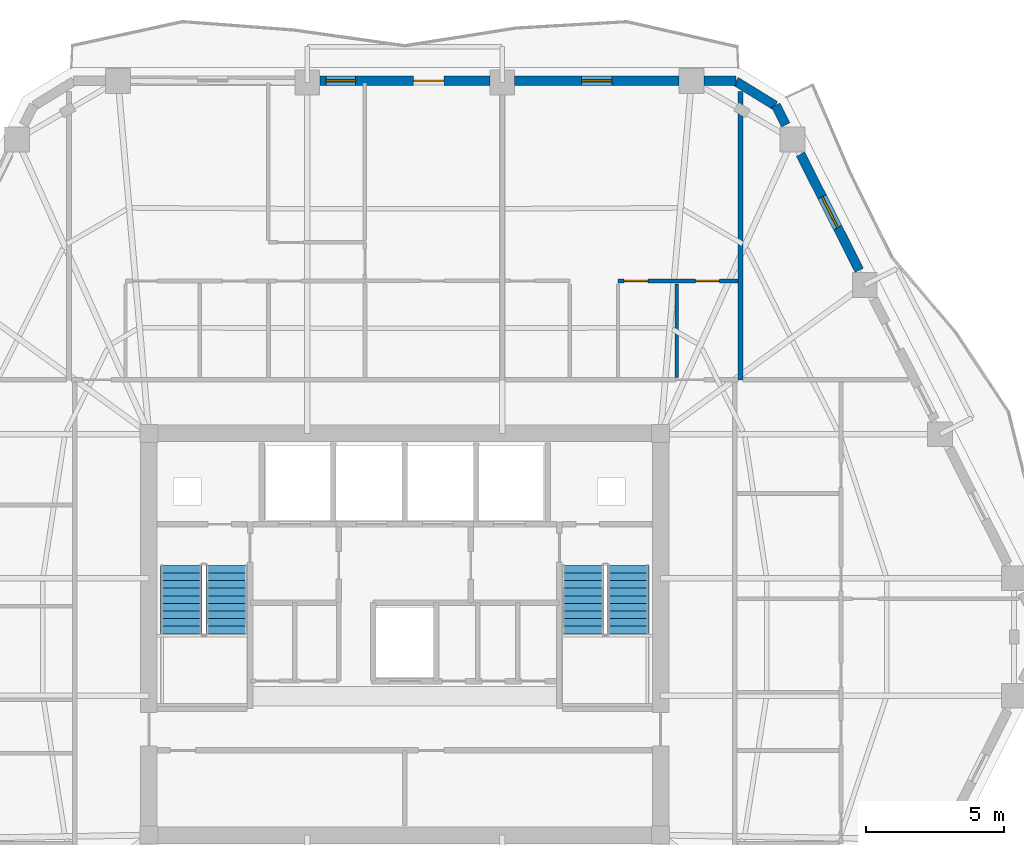
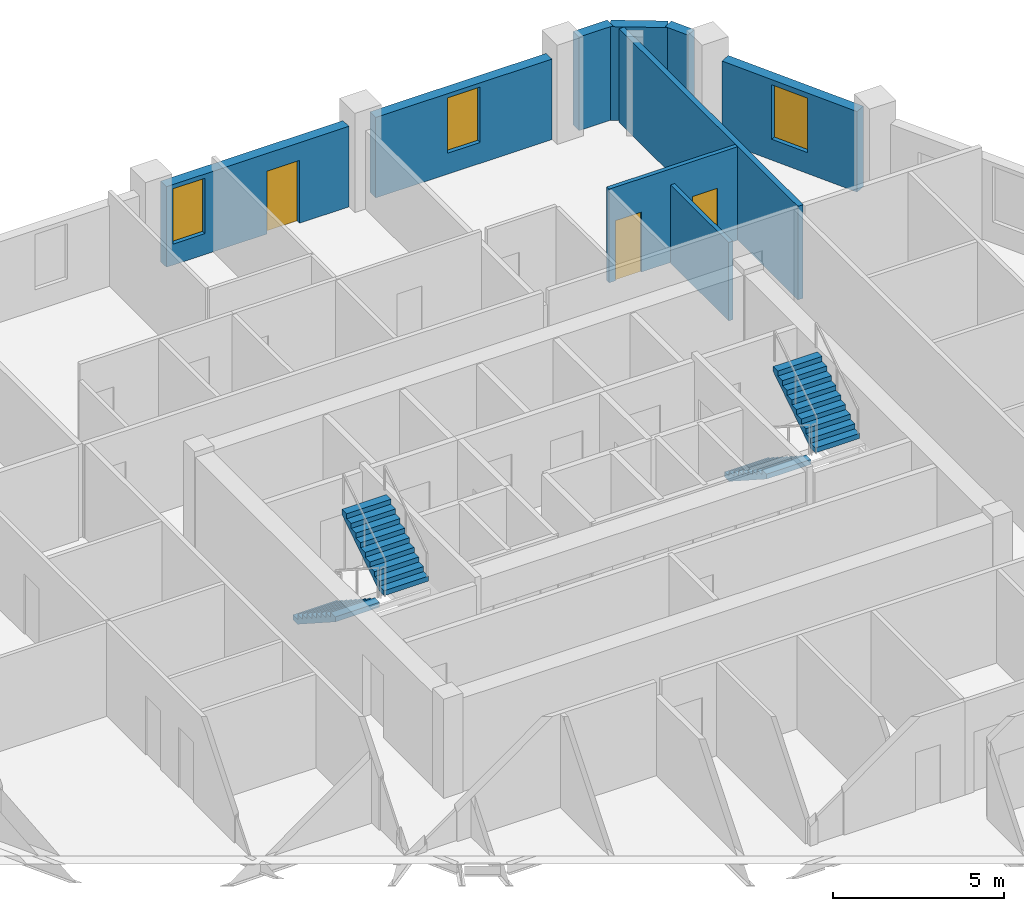
# One storey, part 8 of 11: 9 walls, 4 stair flights, 3 doors, 3 windows, 6 openings, 2 elements without a shape of their own.
"""IFC4 building model written with IfcOpenShell, lengths in metres."""

from ifc_helpers import new_model, si_unit, direction, frame, frame_2d, origin, place, context, subcontext, project, spatial, polyline, rectangle, outline, extrude, material, layer, layer_set, type_object, element, fill, aggregate, save


model = new_model("IFC4")

# Units and contexts
model_context = context("Model", 3, precision=1e-05, world=origin(), true_north=direction((0.0, 1.0)))
body_context = subcontext(model_context, "Body", "Model", "MODEL_VIEW")
ifc_project = project(units=[si_unit("LENGTHUNIT", "METRE"), si_unit("AREAUNIT", "SQUARE_METRE"), si_unit("VOLUMEUNIT", "CUBIC_METRE"), si_unit("PLANEANGLEUNIT", "RADIAN"), si_unit("MASSUNIT", "GRAM", prefix="KILO")], contexts=[model_context])

# Site, building, storey
site_placement = place(None, origin())
site = spatial("IfcSite", under=ifc_project, at=site_placement, CompositionType="ELEMENT")
building_placement = place(site_placement, origin())
building = spatial("IfcBuilding", under=site, at=building_placement, Name="Cinnabar Lancet Tower", CompositionType="ELEMENT")
storey_placement = place(building_placement, frame((0.0, 0.0, 179.0)))
storey = spatial("IfcBuildingStorey", under=building, at=storey_placement, Name="L47", CompositionType="ELEMENT", Elevation=179.0)

# Wall
ifc_material_1 = material(Name="Fire-rated twin-frame acoustic drywall", Category="gypsum")
ifc_layer_1 = layer(ifc_material_1, 0.179931640625)
ifc_layer_set_1 = layer_set([ifc_layer_1], Name="Fire-rated twin-frame acoustic drywall")
wall_type_1 = type_object("IfcWallType", Name="ARC-WL-PARTY-180", PredefinedType="PARTITIONING", material=ifc_layer_set_1)
wall_1_placement = place(storey_placement, frame((44.60009765625, 35.14990234375, 0.0), z_axis=(0.0, 0.0, 1.0), x_axis=(0.0, 1.0, 0.0)))
element("IfcWall", 1, at=wall_1_placement, inside=storey, type_object=wall_type_1, Name="PW-L47-NPTY-446", PredefinedType="PARTITIONING", context=body_context, shape_type="SweptSolid", body=[
    extrude(rectangle(XDim=10.482177734375, YDim=0.179931640625, at=frame_2d((5.2412109375, 0.0))), origin(), (0.0, 0.0, 1.0), 3.35009765625),
])

# Wall, openings, doors
ifc_material_2 = material(Name="Moisture-resistant cement-board plumbing wall", Category="masonry")
ifc_layer_2 = layer(ifc_material_2, 0.139892578125)
ifc_layer_set_2 = layer_set([ifc_layer_2], Name="Moisture-resistant cement-board plumbing wall")
wall_type_2 = type_object("IfcWallType", Name="ARC-WL-WET-140", PredefinedType="PLUMBINGWALL", material=ifc_layer_set_2)
wall_2_placement = place(storey_placement, frame((40.14990234375, 38.7451171875, 0.0), z_axis=(0.0, 0.0, 1.0), x_axis=(1.0, 0.0, 0.0)))
wall_2 = element("IfcWall", 2, at=wall_2_placement, inside=storey, type_object=wall_type_2, Name="UW-L47-N02-SPL", PredefinedType="PLUMBINGWALL", context=body_context, shape_type="SweptSolid", body=[
    extrude(rectangle(XDim=4.35498046875, YDim=0.139892578125, at=frame_2d((2.177490234375, 0.0))), origin(), (0.0, 0.0, 1.0), 3.35009765625),
])
opening_1_placement = place(wall_2_placement, frame((2.821044921875, 0.0, 0.0)))
opening_1 = element("IfcOpeningElement", 3, at=opening_1_placement, cuts=wall_2, Name="Opening BD-01", PredefinedType="OPENING", context=body_context, shape_type="SweptSolid", body=[
    extrude(rectangle(XDim=0.860107421875, YDim=2.10009765625, at=frame_2d((0.43017578125, 1.050048828125))), frame((0.0, 0.079833984375, 0.0), z_axis=(0.0, -1.0, 0.0), x_axis=(1.0, 0.0, 0.0)), (0.0, 0.0, 1.0), 0.159912109375),
])
opening_2_placement = place(wall_2_placement, frame((0.219970703125, 0.0, 0.0)))
opening_2 = element("IfcOpeningElement", 4, at=opening_2_placement, cuts=wall_2, Name="Opening RD-02", PredefinedType="OPENING", context=body_context, shape_type="SweptSolid", body=[
    extrude(rectangle(XDim=0.8798828125, YDim=2.14990234375, at=frame_2d((0.43994140625, 1.074951171875))), frame((0.0, 0.079833984375, 0.0), z_axis=(0.0, -1.0, 0.0), x_axis=(1.0, 0.0, 0.0)), (0.0, 0.0, 1.0), 0.159912109375),
])
ifc_material_3 = material(Name="Moisture-resistant timber bathroom door", Category="wood")
door_type_1 = type_object("IfcDoorType", Name="ARC-DR-BATH", OperationType="NOTDEFINED", PredefinedType="DOOR", material=ifc_material_3)
door_1_placement = place(opening_1_placement, origin())
door_1 = element("IfcDoor", 5, at=door_1_placement, inside=storey, type_object=door_type_1, Name="DR-L47-N02-BTH", OperationType="SINGLE_SWING_RIGHT", OverallHeight=2.10009765625, OverallWidth=0.860107421875, PredefinedType="DOOR", context=body_context, shape_type="SweptSolid", body=[
    extrude(rectangle(XDim=0.860107421875, YDim=2.10009765625, at=frame_2d((0.43017578125, 1.050048828125))), frame((0.0, 0.02490234375, 0.0), z_axis=(0.0, -1.0, 0.0), x_axis=(1.0, 0.0, 0.0)), (0.0, 0.0, 1.0), 0.050048828125),
])
fill(opening_1, door_1)
ifc_material_4 = material(Name="Engineered timber study door", Category="wood")
door_type_2 = type_object("IfcDoorType", Name="ARC-DR-STUDY", OperationType="NOTDEFINED", PredefinedType="DOOR", material=ifc_material_4)
door_2_placement = place(opening_2_placement, origin())
door_2 = element("IfcDoor", 6, at=door_2_placement, inside=storey, type_object=door_type_2, Name="DR-L47-N02-KIT", OperationType="SINGLE_SWING_LEFT", OverallHeight=2.14990234375, OverallWidth=0.8798828125, PredefinedType="DOOR", context=body_context, shape_type="SweptSolid", body=[
    extrude(rectangle(XDim=0.8798828125, YDim=2.14990234375, at=frame_2d((0.43994140625, 1.074951171875))), frame((0.0, 0.02490234375, 0.0), z_axis=(0.0, -1.0, 0.0), x_axis=(1.0, 0.0, 0.0)), (0.0, 0.0, 1.0), 0.050048828125),
])
fill(opening_2, door_2)

# Walls
wall_3_placement = place(storey_placement, frame((42.285888671875, 35.235107421875, 0.0), z_axis=(0.0, 0.0, 1.0), x_axis=(0.0, 1.0, 0.0)))
element("IfcWall", 7, at=wall_3_placement, inside=storey, type_object=wall_type_2, Name="UW-L47-N02-KDV", PredefinedType="PLUMBINGWALL", context=body_context, shape_type="SweptSolid", body=[
    extrude(rectangle(XDim=3.40478515625, YDim=0.139892578125, at=frame_2d((1.702392578125, 0.0))), origin(), (0.0, 0.0, 1.0), 2.806884765625),
])
ifc_material_5 = material(Name="Cinnabar red clay brick", Category="masonry")
ifc_layer_3 = layer(ifc_material_5, 0.340087890625)
ifc_layer_set_3 = layer_set([ifc_layer_3], Name="Cinnabar red clay brick")
wall_type_3 = type_object("IfcWallType", Name="ENV-WL-BRK-RED-340", PredefinedType="STANDARD", material=ifc_layer_set_3)
wall_4_placement = place(storey_placement, frame((45.862060546875, 45.115966796875, 0.0), z_axis=(0.0, 0.0, 1.0), x_axis=(-0.851713271379, 0.524008113828, 0.0)))
element("IfcWall", 8, at=wall_4_placement, inside=storey, type_object=wall_type_3, Name="L47 Chamfered Corner Brick Pier 4.1", PredefinedType="STANDARD", context=body_context, shape_type="SweptSolid", body=[
    extrude(rectangle(XDim=1.677734375, YDim=0.340087890625, at=frame_2d((0.8388671875, 0.0))), origin(), (0.0, 0.0, 1.0), 3.35009765625),
])

# Wall, opening, window
wall_5_placement = place(storey_placement, frame((48.9189453125, 39.1298828125, 0.0), z_axis=(0.0, 0.0, 1.0), x_axis=(-0.45150207307, 0.892270070109, 0.0)))
wall_5 = element("IfcWall", 9, at=wall_5_placement, inside=storey, type_object=wall_type_3, Name="L47 Face 3 Masonry Bay Wall 4", PredefinedType="STANDARD", context=body_context, shape_type="SweptSolid", body=[
    extrude(rectangle(XDim=4.73095703125, YDim=0.340087890625, at=frame_2d((2.365478515625, 0.0))), origin(), (0.0, 0.0, 1.0), 2.883056640625),
])
opening_3_placement = place(wall_5_placement, frame((1.739990234375, 0.0, 0.75)))
opening_3 = element("IfcOpeningElement", 10, at=opening_3_placement, cuts=wall_5, Name="Opening WN-03", PredefinedType="OPENING", context=body_context, shape_type="SweptSolid", body=[
    extrude(rectangle(XDim=1.25, YDim=1.949951171875, at=frame_2d((0.625, 0.97509765625))), frame((0.0, 0.179931640625, 0.0), z_axis=(0.0, -1.0, 0.0), x_axis=(1.0, 0.0, 0.0)), (0.0, 0.0, 1.0), 0.360107421875),
])
ifc_material_6 = material(Name="Thermally broken bronze-anodized aluminium low-E double glazing", Category="aluminium")
window_type_1 = type_object("IfcWindowType", Name="ENV-WN-LANCET-1250", PartitioningType="SINGLE_PANEL", PredefinedType="WINDOW", material=ifc_material_6)
window_1_placement = place(opening_3_placement, origin())
window_1 = element("IfcWindow", 11, at=window_1_placement, inside=storey, type_object=window_type_1, Name="L47 Face 3 Gothic Lancet Window 4", OverallHeight=1.949951171875, OverallWidth=1.25, PartitioningType="SINGLE_PANEL", PredefinedType="WINDOW", context=body_context, shape_type="SweptSolid", body=[
    extrude(rectangle(XDim=1.25, YDim=1.949951171875, at=frame_2d((0.625, 0.97509765625))), frame((0.0, 0.030029296875, 0.0), z_axis=(0.0, -1.0, 0.0), x_axis=(1.0, 0.0, 0.0)), (0.0, 0.0, 1.0), 0.06005859375),
])
fill(opening_3, window_1)

# Walls
wall_6_placement = place(storey_placement, frame((46.24609375, 44.4130859375, 0.0), z_axis=(0.0, 0.0, 1.0), x_axis=(-0.451691568309, 0.892174157392, 0.0)))
element("IfcWall", 12, at=wall_6_placement, inside=storey, type_object=wall_type_3, Name="L47 Face 3 Masonry Bay Wall 5", PredefinedType="STANDARD", context=body_context, shape_type="SweptSolid", body=[
    extrude(rectangle(XDim=0.805908203125, YDim=0.340087890625, at=frame_2d((0.40283203125, 0.0))), origin(), (0.0, 0.0, 1.0), 3.35009765625),
])
wall_7_placement = place(storey_placement, frame((44.43798828125, 46.02001953125, 0.0), z_axis=(0.0, 0.0, 1.0), x_axis=(-1.0, 0.0, 0.0)))
element("IfcWall", 13, at=wall_7_placement, inside=storey, type_object=wall_type_3, Name="L47 Face 4 Masonry Bay Wall 1", PredefinedType="STANDARD", context=body_context, shape_type="SweptSolid", body=[
    extrude(rectangle(XDim=1.1630859375, YDim=0.340087890625, at=frame_2d((0.58154296875, 0.0))), origin(), (0.0, 0.0, 1.0), 3.35009765625),
])

# Wall, opening, window
wall_8_placement = place(storey_placement, frame((42.366943359375, 46.02001953125, 0.0), z_axis=(0.0, 0.0, 1.0), x_axis=(-1.0, 0.0, 0.0)))
wall_8 = element("IfcWall", 14, at=wall_8_placement, inside=storey, type_object=wall_type_3, Name="L47 Face 4 Masonry Bay Wall 2", PredefinedType="STANDARD", context=body_context, shape_type="SweptSolid", body=[
    extrude(rectangle(XDim=5.969970703125, YDim=0.340087890625, at=frame_2d((2.98486328125, 0.0))), origin(), (0.0, 0.0, 1.0), 2.883056640625),
])
opening_4_placement = place(wall_8_placement, frame((2.43505859375, 0.0, 0.75)))
opening_4 = element("IfcOpeningElement", 15, at=opening_4_placement, cuts=wall_8, Name="Opening WN-04", PredefinedType="OPENING", context=body_context, shape_type="SweptSolid", body=[
    extrude(rectangle(XDim=1.10009765625, YDim=1.98291015625, at=frame_2d((0.550048828125, 0.991455078125))), frame((0.0, 0.179931640625, 0.0), z_axis=(0.0, -1.0, 0.0), x_axis=(1.0, 0.0, 0.0)), (0.0, 0.0, 1.0), 0.360107421875),
])
ifc_material_7 = material(Name="Thermally broken bronze-anodized aluminium tall lancet window", Category="aluminium")
window_type_2 = type_object("IfcWindowType", Name="ENV-WN-LANCET-1100", PartitioningType="SINGLE_PANEL", PredefinedType="WINDOW", material=ifc_material_7)
window_2_placement = place(opening_4_placement, origin())
window_2 = element("IfcWindow", 16, at=window_2_placement, inside=storey, type_object=window_type_2, Name="L47 Face 4 Gothic Lancet Window 2", OverallHeight=1.98291015625, OverallWidth=1.10009765625, PartitioningType="SINGLE_PANEL", PredefinedType="WINDOW", context=body_context, shape_type="SweptSolid", body=[
    extrude(rectangle(XDim=1.10009765625, YDim=1.98291015625, at=frame_2d((0.550048828125, 0.991455078125))), frame((0.0, 0.030029296875, 0.0), z_axis=(0.0, -1.0, 0.0), x_axis=(1.0, 0.0, 0.0)), (0.0, 0.0, 1.0), 0.06005859375),
])
fill(opening_4, window_2)

# Wall, openings, door, window
wall_9_placement = place(storey_placement, frame((35.489013671875, 46.02001953125, 0.0), z_axis=(0.0, 0.0, 1.0), x_axis=(-1.0, 0.0, 0.0)))
wall_9 = element("IfcWall", 17, at=wall_9_placement, inside=storey, type_object=wall_type_3, Name="L47 Face 4 Masonry Bay Wall 3", PredefinedType="STANDARD", context=body_context, shape_type="SweptSolid", body=[
    extrude(rectangle(XDim=6.177978515625, YDim=0.340087890625, at=frame_2d((3.0888671875, 0.0))), origin(), (0.0, 0.0, 1.0), 2.883056640625),
])
opening_5_placement = place(wall_9_placement, frame((1.66796875, 0.0, 0.0)))
opening_5 = element("IfcOpeningElement", 18, at=opening_5_placement, cuts=wall_9, Name="Opening TD-01", PredefinedType="OPENING", context=body_context, shape_type="SweptSolid", body=[
    extrude(rectangle(XDim=1.10009765625, YDim=2.25, at=frame_2d((0.550048828125, 1.125))), frame((0.0, 0.179931640625, 0.0), z_axis=(0.0, -1.0, 0.0), x_axis=(1.0, 0.0, 0.0)), (0.0, 0.0, 1.0), 0.360107421875),
])
opening_6_placement = place(wall_9_placement, frame((4.8720703125, 0.0, 0.75)))
opening_6 = element("IfcOpeningElement", 19, at=opening_6_placement, cuts=wall_9, Name="Opening WN-04", PredefinedType="OPENING", context=body_context, shape_type="SweptSolid", body=[
    extrude(rectangle(XDim=1.0859375, YDim=1.98291015625, at=frame_2d((0.54296875, 0.991455078125))), frame((0.0, 0.179931640625, 0.0), z_axis=(0.0, -1.0, 0.0), x_axis=(1.0, 0.0, 0.0)), (0.0, 0.0, 1.0), 0.360107421875),
])
ifc_material_8 = material(Name="Thermally broken low-E glazed balcony terrace door", Category="wood")
door_type_3 = type_object("IfcDoorType", Name="ARC-DR-BALC", OperationType="NOTDEFINED", PredefinedType="DOOR", material=ifc_material_8)
door_3_placement = place(opening_5_placement, origin())
door_3 = element("IfcDoor", 20, at=door_3_placement, inside=storey, type_object=door_type_3, Name="L47 Face 4 Glazed Terrace Door", OperationType="SINGLE_SWING_LEFT", OverallHeight=2.25, OverallWidth=1.10009765625, PredefinedType="DOOR", context=body_context, shape_type="SweptSolid", body=[
    extrude(rectangle(XDim=1.10009765625, YDim=2.25, at=frame_2d((0.550048828125, 1.125))), frame((0.0, 0.02490234375, 0.0), z_axis=(0.0, -1.0, 0.0), x_axis=(1.0, 0.0, 0.0)), (0.0, 0.0, 1.0), 0.050048828125),
])
fill(opening_5, door_3)
window_3_placement = place(opening_6_placement, origin())
window_3 = element("IfcWindow", 21, at=window_3_placement, inside=storey, type_object=window_type_2, Name="L47 Split-Bay Gothic Lancet Window 144", OverallHeight=1.98291015625, OverallWidth=1.0859375, PartitioningType="SINGLE_PANEL", PredefinedType="WINDOW", context=body_context, shape_type="SweptSolid", body=[
    extrude(rectangle(XDim=1.0859375, YDim=1.98291015625, at=frame_2d((0.54296875, 0.991455078125))), frame((0.0, 0.030029296875, 0.0), z_axis=(0.0, -1.0, 0.0), x_axis=(1.0, 0.0, 0.0)), (0.0, 0.0, 1.0), 0.06005859375),
])
fill(opening_6, window_3)

# Stair, stair flights
ifc_material_9 = material(Name="Concrete C40/50", Category="concrete")
stair_type = type_object("IfcStairType", Name="ST-CORE", PredefinedType="HALF_TURN_STAIR", material=ifc_material_9)
stair_1_placement = place(storey_placement, origin())
stair_1 = element("IfcStair", 22, at=stair_1_placement, inside=storey, type_object=stair_type, Name="L47 ST-1", PredefinedType="HALF_TURN_STAIR")
ifc_material_10 = material(Name="Concrete C40/50", Category="concrete")
stair_flight_type = type_object("IfcStairFlightType", Name="FLIGHT-CORE", PredefinedType="STRAIGHT", material=ifc_material_10)
stair_flight_1_placement = place(storey_placement, frame((24.27490234375, 28.39990234375, 0.0), z_axis=(0.0, 0.0, 1.0), x_axis=(0.0, -1.0, 0.0)))
stair_flight_1 = element("IfcStairFlight", 23, at=stair_flight_1_placement, type_object=stair_flight_type, Name="ST-1 flight 1", NumberOfRisers=10, NumberOfTreads=9, PredefinedType="STRAIGHT", RiserHeight=0.1775, TreadLength=0.275, context=body_context, shape_type="SweptSolid", body=[
    extrude(outline(polyline([(0.0, 0.0), (0.0, 0.177490234375), (0.27490234375, 0.177490234375), (0.27490234375, 0.35498046875), (0.550048828125, 0.35498046875), (0.550048828125, 0.532470703125), (0.824951171875, 0.532470703125), (0.824951171875, 0.7099609375), (1.10009765625, 0.7099609375), (1.10009765625, 0.887451171875), (1.375, 0.887451171875), (1.375, 1.06494140625), (1.64990234375, 1.06494140625), (1.64990234375, 1.242431640625), (1.925048828125, 1.242431640625), (1.925048828125, 1.419921875), (2.199951171875, 1.419921875), (2.199951171875, 1.597412109375), (2.47509765625, 1.597412109375), (2.47509765625, 1.77490234375), (2.47509765625, 1.419189453125), (0.2763671875, 0.0), (0.0, 0.0)])), frame((0.0, 0.75, 0.0), z_axis=(0.0, -1.0, 0.0), x_axis=(1.0, 0.0, 0.0)), (0.0, 0.0, 1.0), 1.5),
])
stair_flight_2_placement = place(storey_placement, frame((25.925048828125, 25.925048828125, 1.77490234375), z_axis=(0.0, 0.0, 1.0), x_axis=(0.0, 1.0, 0.0)))
stair_flight_2 = element("IfcStairFlight", 24, at=stair_flight_2_placement, type_object=stair_flight_type, Name="ST-1 flight 2", NumberOfRisers=10, NumberOfTreads=9, PredefinedType="STRAIGHT", RiserHeight=0.1775, TreadLength=0.275, context=body_context, shape_type="SweptSolid", body=[
    extrude(outline(polyline([(0.0, 0.0), (0.0, 0.177490234375), (0.27490234375, 0.177490234375), (0.27490234375, 0.35498046875), (0.550048828125, 0.35498046875), (0.550048828125, 0.532470703125), (0.824951171875, 0.532470703125), (0.824951171875, 0.7099609375), (1.10009765625, 0.7099609375), (1.10009765625, 0.887451171875), (1.375, 0.887451171875), (1.375, 1.06494140625), (1.64990234375, 1.06494140625), (1.64990234375, 1.242431640625), (1.925048828125, 1.242431640625), (1.925048828125, 1.419921875), (2.199951171875, 1.419921875), (2.199951171875, 1.597412109375), (2.47509765625, 1.597412109375), (2.47509765625, 1.77490234375), (2.47509765625, 1.419189453125), (0.2763671875, 0.0), (0.0, 0.0)])), frame((0.0, 0.75, 0.0), z_axis=(0.0, -1.0, 0.0), x_axis=(1.0, 0.0, 0.0)), (0.0, 0.0, 1.0), 1.5),
])
aggregate(stair_1, [stair_flight_1, stair_flight_2])

stair_2_placement = place(storey_placement, origin())
stair_2 = element("IfcStair", 25, at=stair_2_placement, inside=storey, type_object=stair_type, Name="L47 ST-2", PredefinedType="HALF_TURN_STAIR")
stair_flight_3_placement = place(storey_placement, frame((38.875, 28.39990234375, 0.0), z_axis=(0.0, 0.0, 1.0), x_axis=(0.0, -1.0, 0.0)))
stair_flight_3 = element("IfcStairFlight", 26, at=stair_flight_3_placement, type_object=stair_flight_type, Name="ST-2 flight 1", NumberOfRisers=10, NumberOfTreads=9, PredefinedType="STRAIGHT", RiserHeight=0.1775, TreadLength=0.275, context=body_context, shape_type="SweptSolid", body=[
    extrude(outline(polyline([(0.0, 0.0), (0.0, 0.177490234375), (0.27490234375, 0.177490234375), (0.27490234375, 0.35498046875), (0.550048828125, 0.35498046875), (0.550048828125, 0.532470703125), (0.824951171875, 0.532470703125), (0.824951171875, 0.7099609375), (1.10009765625, 0.7099609375), (1.10009765625, 0.887451171875), (1.375, 0.887451171875), (1.375, 1.06494140625), (1.64990234375, 1.06494140625), (1.64990234375, 1.242431640625), (1.925048828125, 1.242431640625), (1.925048828125, 1.419921875), (2.199951171875, 1.419921875), (2.199951171875, 1.597412109375), (2.47509765625, 1.597412109375), (2.47509765625, 1.77490234375), (2.47509765625, 1.419189453125), (0.2763671875, 0.0), (0.0, 0.0)])), frame((0.0, 0.75, 0.0), z_axis=(0.0, -1.0, 0.0), x_axis=(1.0, 0.0, 0.0)), (0.0, 0.0, 1.0), 1.5),
])
stair_flight_4_placement = place(storey_placement, frame((40.52490234375, 25.925048828125, 1.77490234375), z_axis=(0.0, 0.0, 1.0), x_axis=(0.0, 1.0, 0.0)))
stair_flight_4 = element("IfcStairFlight", 27, at=stair_flight_4_placement, type_object=stair_flight_type, Name="ST-2 flight 2", NumberOfRisers=10, NumberOfTreads=9, PredefinedType="STRAIGHT", RiserHeight=0.1775, TreadLength=0.275, context=body_context, shape_type="SweptSolid", body=[
    extrude(outline(polyline([(0.0, 0.0), (0.0, 0.177490234375), (0.27490234375, 0.177490234375), (0.27490234375, 0.35498046875), (0.550048828125, 0.35498046875), (0.550048828125, 0.532470703125), (0.824951171875, 0.532470703125), (0.824951171875, 0.7099609375), (1.10009765625, 0.7099609375), (1.10009765625, 0.887451171875), (1.375, 0.887451171875), (1.375, 1.06494140625), (1.64990234375, 1.06494140625), (1.64990234375, 1.242431640625), (1.925048828125, 1.242431640625), (1.925048828125, 1.419921875), (2.199951171875, 1.419921875), (2.199951171875, 1.597412109375), (2.47509765625, 1.597412109375), (2.47509765625, 1.77490234375), (2.47509765625, 1.419189453125), (0.2763671875, 0.0), (0.0, 0.0)])), frame((0.0, 0.75, 0.0), z_axis=(0.0, -1.0, 0.0), x_axis=(1.0, 0.0, 0.0)), (0.0, 0.0, 1.0), 1.5),
])
aggregate(stair_2, [stair_flight_3, stair_flight_4])

save(model, "model.ifc")
